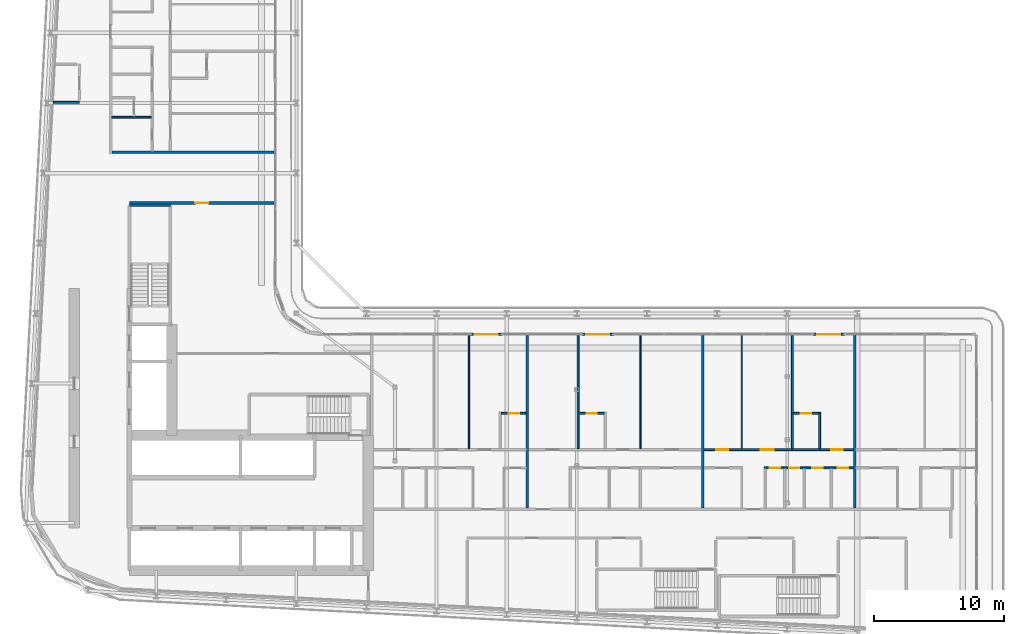
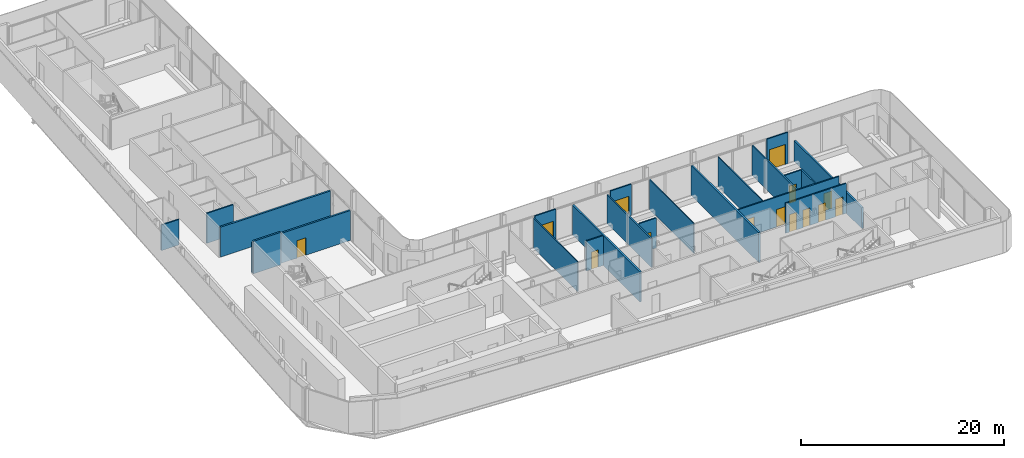
# One storey, part 17 of 29: 22 walls, 14 doors, 14 openings.
"""IFC4 building model written with IfcOpenShell, lengths in metres."""

from ifc_helpers import new_model, si_unit, direction, frame, frame_2d, origin, place, context, subcontext, project, spatial, rectangle, extrude, source, transform, mapped, material, layer, layer_set, type_object, element, fill, save


model = new_model("IFC4")

# Units and contexts
model_context = context("Model", 3, precision=1e-05, world=origin(), true_north=direction((0.0, 1.0)))
body_context = subcontext(model_context, "Body", "Model", "MODEL_VIEW")
ifc_project = project(units=[si_unit("LENGTHUNIT", "METRE"), si_unit("AREAUNIT", "SQUARE_METRE"), si_unit("VOLUMEUNIT", "CUBIC_METRE"), si_unit("PLANEANGLEUNIT", "RADIAN"), si_unit("MASSUNIT", "GRAM", prefix="KILO")], contexts=[model_context])

# Site, building, storey
site_placement = place(None, origin())
site = spatial("IfcSite", under=ifc_project, at=site_placement, CompositionType="ELEMENT")
building_placement = place(site_placement, origin())
building = spatial("IfcBuilding", under=site, at=building_placement, Name="Kheshtan School and Residences Tower", CompositionType="ELEMENT")
storey_placement = place(building_placement, frame((0.0, 0.0, 183.800048828125)))
storey = spatial("IfcBuildingStorey", under=building, at=storey_placement, Name="L43", CompositionType="ELEMENT", Elevation=183.800048828125)

# Wall
ifc_material_1 = material(Name="Gypsum board on steel studs with fire boards", Category="steel")
ifc_layer_1 = layer(ifc_material_1, 0.199951171875)
ifc_layer_set_1 = layer_set([ifc_layer_1], Name="Corridor wall 200")
wall_type_1 = type_object("IfcWallType", Name="Corridor wall 200", PredefinedType="PARTITIONING", material=ifc_layer_set_1)
wall_1_placement = place(storey_placement, frame((33.39990234375, 58.0, 0.0), z_axis=(0.0, 0.0, 1.0), x_axis=(1.0, 0.0, 0.0)))
element("IfcWall", 1, at=wall_1_placement, inside=storey, type_object=wall_type_1, Name="Partition L43-006", PredefinedType="PARTITIONING", context=body_context, shape_type="SweptSolid", body=[
    extrude(rectangle(XDim=12.5, YDim=0.199951171875, at=frame_2d((6.25, 0.0))), origin(), (0.0, 0.0, 1.0), 3.599853515625),
])

# Wall, opening, door
wall_2_placement = place(storey_placement, frame((34.75, 54.10009765625, 0.0), z_axis=(0.0, 0.0, 1.0), x_axis=(1.0, 0.0, 0.0)))
wall_2 = element("IfcWall", 2, at=wall_2_placement, inside=storey, type_object=wall_type_1, Name="Partition L43-016", PredefinedType="PARTITIONING", context=body_context, shape_type="SweptSolid", body=[
    extrude(rectangle(XDim=11.14990234375, YDim=0.199951171875, at=frame_2d((5.574951171875, 0.0))), origin(), (0.0, 0.0, 1.0), 3.599853515625),
])
opening_1_placement = place(wall_2_placement, frame((5.074951171875, 0.0, 0.0)))
opening_1 = element("IfcOpeningElement", 3, at=opening_1_placement, cuts=wall_2, Name="Opening D43-055", PredefinedType="OPENING", context=body_context, shape_type="SweptSolid", body=[
    extrude(rectangle(XDim=1.0, YDim=2.10009765625, at=frame_2d((0.5, 1.050048828125))), frame((0.0, 0.10986328125, 0.0), z_axis=(0.0, -1.0, 0.0), x_axis=(1.0, 0.0, 0.0)), (0.0, 0.0, 1.0), 0.219970703125),
])
ifc_material_2 = material(Name="Steel-framed fire-resisting door leaf", Category="steel")
door_type_1 = type_object("IfcDoorType", Name="Fire door FD60 1000 x 2100", OperationType="SINGLE_SWING_LEFT", PredefinedType="DOOR", material=ifc_material_2)
shared_shape_1 = source(origin(), body_context, "Body", "SweptSolid", [
    extrude(rectangle(XDim=1.0, YDim=2.10009765625, at=frame_2d((0.5, 1.050048828125))), frame((0.0, 0.02490234375, 0.0), z_axis=(0.0, -1.0, 0.0), x_axis=(1.0, 0.0, 0.0)), (0.0, 0.0, 1.0), 0.050048828125),
])
door_1_placement = place(opening_1_placement, origin())
door_1 = element("IfcDoor", 4, at=door_1_placement, inside=storey, type_object=door_type_1, Name="Door D43-055", OperationType="SINGLE_SWING_RIGHT", OverallHeight=2.10009765625, OverallWidth=1.0, PredefinedType="DOOR", context=body_context, shape_type="MappedRepresentation", body=[
    mapped(shared_shape_1, transform((0.0, 0.0, 0.0), x_axis=(1.0, 0.0, 0.0), y_axis=(0.0, 1.0, 0.0), z_axis=(0.0, 0.0, 1.0), scale=1.0)),
])
fill(opening_1, door_1)

ifc_material_3 = material(Name="Aluminium frame wall with insulated infill", Category="aluminium")
ifc_layer_2 = layer(ifc_material_3, 0.14990234375)
ifc_layer_set_2 = layer_set([ifc_layer_2], Name="Glazing frame wall 150")
wall_type_2 = type_object("IfcWallType", Name="Glazing frame wall 150", PredefinedType="SOLIDWALL", material=ifc_layer_set_2)
wall_3_placement = place(storey_placement, frame((61.02392578125, 43.97509765625, 0.0), z_axis=(0.0, 0.0, 1.0), x_axis=(1.0, 0.0, 0.0)))
wall_3 = element("IfcWall", 5, at=wall_3_placement, inside=storey, type_object=wall_type_2, Name="Balcony door wall L43 12.2", PredefinedType="SOLIDWALL", context=body_context, shape_type="SweptSolid", body=[
    extrude(rectangle(XDim=2.400146484375, YDim=0.14990234375, at=frame_2d((1.2001953125, 0.0))), origin(), (0.0, 0.0, 1.0), 3.75),
])
opening_2_placement = place(wall_3_placement, frame((0.300048828125, 0.0, 0.0)))
opening_2 = element("IfcOpeningElement", 6, at=opening_2_placement, cuts=wall_3, Name="Opening BD", PredefinedType="OPENING", context=body_context, shape_type="SweptSolid", body=[
    extrude(rectangle(XDim=1.800048828125, YDim=2.39990234375, at=frame_2d((0.89990234375, 1.199951171875))), frame((0.0, 0.0849609375, 0.0), z_axis=(0.0, -1.0, 0.0), x_axis=(1.0, 0.0, 0.0)), (0.0, 0.0, 1.0), 0.169921875),
])
ifc_material_4 = material(Name="Clear low-e glass in thermally broken aluminium frame", Category="aluminium")
door_type_2 = type_object("IfcDoorType", Name="Balcony sliding door", OperationType="SLIDING_TO_LEFT", PredefinedType="DOOR", material=ifc_material_4)
shared_shape_2 = source(origin(), body_context, "Body", "SweptSolid", [
    extrude(rectangle(XDim=1.800048828125, YDim=2.39990234375, at=frame_2d((0.89990234375, 1.199951171875))), frame((0.0, 0.02490234375, 0.0), z_axis=(0.0, -1.0, 0.0), x_axis=(1.0, 0.0, 0.0)), (0.0, 0.0, 1.0), 0.050048828125),
])
door_2_placement = place(opening_2_placement, origin())
door_2 = element("IfcDoor", 7, at=door_2_placement, inside=storey, type_object=door_type_2, Name="Balcony door L43 12.2", OperationType="SLIDING_TO_LEFT", OverallHeight=2.39990234375, OverallWidth=1.800048828125, PredefinedType="DOOR", context=body_context, shape_type="MappedRepresentation", body=[
    mapped(shared_shape_2, transform((0.0, 0.0, 0.0), x_axis=(1.0, 0.0, 0.0), y_axis=(0.0, 1.0, 0.0), z_axis=(0.0, 0.0, 1.0), scale=1.0)),
])
fill(opening_2, door_2)

wall_4_placement = place(storey_placement, frame((69.617919921875, 43.97509765625, 0.0), z_axis=(0.0, 0.0, 1.0), x_axis=(1.0, 0.0, 0.0)))
wall_4 = element("IfcWall", 8, at=wall_4_placement, inside=storey, type_object=wall_type_2, Name="Balcony door wall L43 12.3", PredefinedType="SOLIDWALL", context=body_context, shape_type="SweptSolid", body=[
    extrude(rectangle(XDim=2.400146484375, YDim=0.14990234375, at=frame_2d((1.2001953125, 0.0))), origin(), (0.0, 0.0, 1.0), 3.75),
])
opening_3_placement = place(wall_4_placement, frame((0.300048828125, 0.0, 0.0)))
opening_3 = element("IfcOpeningElement", 9, at=opening_3_placement, cuts=wall_4, Name="Opening BD", PredefinedType="OPENING", context=body_context, shape_type="SweptSolid", body=[
    extrude(rectangle(XDim=1.800048828125, YDim=2.39990234375, at=frame_2d((0.89990234375, 1.199951171875))), frame((0.0, 0.0849609375, 0.0), z_axis=(0.0, -1.0, 0.0), x_axis=(1.0, 0.0, 0.0)), (0.0, 0.0, 1.0), 0.169921875),
])
door_3_placement = place(opening_3_placement, origin())
door_3 = element("IfcDoor", 10, at=door_3_placement, inside=storey, type_object=door_type_2, Name="Balcony door L43 12.3", OperationType="SLIDING_TO_LEFT", OverallHeight=2.39990234375, OverallWidth=1.800048828125, PredefinedType="DOOR", context=body_context, shape_type="MappedRepresentation", body=[
    mapped(shared_shape_2, transform((0.0, 0.0, 0.0), x_axis=(1.0, 0.0, 0.0), y_axis=(0.0, 1.0, 0.0), z_axis=(0.0, 0.0, 1.0), scale=1.0)),
])
fill(opening_3, door_3)

wall_5_placement = place(storey_placement, frame((87.406005859375, 43.97509765625, 0.0), z_axis=(0.0, 0.0, 1.0), x_axis=(1.0, 0.0, 0.0)))
wall_5 = element("IfcWall", 11, at=wall_5_placement, inside=storey, type_object=wall_type_2, Name="Balcony door wall L43 12.4", PredefinedType="SOLIDWALL", context=body_context, shape_type="SweptSolid", body=[
    extrude(rectangle(XDim=2.39990234375, YDim=0.14990234375, at=frame_2d((1.199951171875, 0.0))), origin(), (0.0, 0.0, 1.0), 3.75),
])
opening_4_placement = place(wall_5_placement, frame((0.300048828125, 0.0, 0.0)))
opening_4 = element("IfcOpeningElement", 12, at=opening_4_placement, cuts=wall_5, Name="Opening BD", PredefinedType="OPENING", context=body_context, shape_type="SweptSolid", body=[
    extrude(rectangle(XDim=1.800048828125, YDim=2.39990234375, at=frame_2d((0.89990234375, 1.199951171875))), frame((0.0, 0.0849609375, 0.0), z_axis=(0.0, -1.0, 0.0), x_axis=(1.0, 0.0, 0.0)), (0.0, 0.0, 1.0), 0.169921875),
])
door_4_placement = place(opening_4_placement, origin())
door_4 = element("IfcDoor", 13, at=door_4_placement, inside=storey, type_object=door_type_2, Name="Balcony door L43 12.4", OperationType="SLIDING_TO_LEFT", OverallHeight=2.39990234375, OverallWidth=1.800048828125, PredefinedType="DOOR", context=body_context, shape_type="MappedRepresentation", body=[
    mapped(shared_shape_2, transform((0.0, 0.0, 0.0), x_axis=(1.0, 0.0, 0.0), y_axis=(0.0, 1.0, 0.0), z_axis=(0.0, 0.0, 1.0), scale=1.0)),
])
fill(opening_4, door_4)

# Walls
ifc_material_5 = material(Name="Gypsum board on steel studs", Category="steel")
ifc_layer_3 = layer(ifc_material_5, 0.10009765625)
ifc_layer_set_3 = layer_set([ifc_layer_3], Name="Gypsum partition 100")
wall_type_3 = type_object("IfcWallType", Name="Gypsum partition 100", PredefinedType="PARTITIONING", material=ifc_layer_set_3)
for number, where, z_axis, x_axis, name in (
    (14, (60.89990234375, 35.175048828125, 0.0), (0.0, 0.0, 1.0), (0.0, 1.0, 0.0), "Partition L43-041"),
    (15, (74.10009765625, 35.175048828125, 0.0), (0.0, 0.0, 1.0), (0.0, 1.0, 0.0), "Partition L43-056"),
    (16, (81.89990234375, 35.175048828125, 0.0), (0.0, 0.0, 1.0), (0.0, 1.0, 0.0), "Partition L43-061"),
):
    element("IfcWall", number, at=place(storey_placement, frame(where, z_axis=z_axis, x_axis=x_axis)), inside=storey, type_object=wall_type_3, Name=name, PredefinedType="PARTITIONING", context=body_context, shape_type="SweptSolid", body=[
        extrude(rectangle(XDim=8.724853515625, YDim=0.10009765625, at=frame_2d((4.3623046875, 0.0))), origin(), (0.0, 0.0, 1.0), 3.599853515625),
    ])
ifc_material_6 = material(Name="Fire-board shaft wall system")
ifc_layer_4 = layer(ifc_material_6, 0.14990234375)
ifc_layer_set_4 = layer_set([ifc_layer_4], Name="Service room wall 150")
wall_type_4 = type_object("IfcWallType", Name="Service room wall 150", PredefinedType="PARTITIONING", material=ifc_layer_set_4)
wall_6_placement = place(storey_placement, frame((28.89501953125, 61.85107421875, 0.0), z_axis=(0.0, 0.0, 1.0), x_axis=(1.0, 0.0, 0.0)))
element("IfcWall", 17, at=wall_6_placement, inside=storey, type_object=wall_type_4, Name="Service room wall", PredefinedType="PARTITIONING", context=body_context, shape_type="SweptSolid", body=[
    extrude(rectangle(XDim=2.0048828125, YDim=0.14990234375, at=frame_2d((1.00244140625, 0.0))), origin(), (0.0, 0.0, 1.0), 3.072021484375),
])
ifc_material_7 = material(Name="Concrete C40/50", Category="concrete")
ifc_layer_5 = layer(ifc_material_7, 0.199951171875)
ifc_layer_set_5 = layer_set([ifc_layer_5], Name="Stair enclosure wall 200 Concrete C40/50")
wall_type_5 = type_object("IfcWallType", Name="Stair enclosure wall 200 Concrete C40/50", PredefinedType="SHEAR", material=ifc_layer_set_5)
wall_7_placement = place(storey_placement, frame((34.75, 53.909912109375, 0.0), z_axis=(0.0, 0.0, 1.0), x_axis=(1.0, 0.0, 0.0)))
element("IfcWall", 18, at=wall_7_placement, inside=storey, type_object=wall_type_5, Name="Stair enclosure wall ST2", PredefinedType="SHEAR", context=body_context, shape_type="SweptSolid", body=[
    extrude(rectangle(XDim=3.14990234375, YDim=0.199951171875, at=frame_2d((1.574951171875, 0.0))), origin(), (0.0, 0.0, 1.0), 3.89990234375),
])
ifc_material_8 = material(Name="Twin gypsum board on steel studs with mineral wool", Category="steel")
ifc_layer_6 = layer(ifc_material_8, 0.199951171875)
ifc_layer_set_6 = layer_set([ifc_layer_6], Name="Unit demising wall 200")
wall_type_6 = type_object("IfcWallType", Name="Unit demising wall 200", PredefinedType="PARTITIONING", material=ifc_layer_set_6)
for number, where, z_axis, x_axis, name in (
    (19, (65.39990234375, 30.60009765625, 0.0), (0.0, 0.0, 1.0), (0.0, 1.0, 0.0), "Partition L43-047"),
    (20, (78.89990234375, 30.60009765625, 0.0), (0.0, 0.0, 1.0), (0.0, 1.0, 0.0), "Partition L43-057"),
):
    element("IfcWall", number, at=place(storey_placement, frame(where, z_axis=z_axis, x_axis=x_axis)), inside=storey, type_object=wall_type_6, Name=name, PredefinedType="PARTITIONING", context=body_context, shape_type="SweptSolid", body=[
        extrude(rectangle(XDim=13.2998046875, YDim=0.199951171875, at=frame_2d((6.64990234375, 0.0))), origin(), (0.0, 0.0, 1.0), 3.599853515625),
    ])
wall_8_placement = place(storey_placement, frame((90.60009765625, 30.60009765625, 0.0), z_axis=(0.0, 0.0, 1.0), x_axis=(0.0, 1.0, 0.0)))
element("IfcWall", 21, at=wall_8_placement, inside=storey, type_object=wall_type_6, Name="Partition L43-070", PredefinedType="PARTITIONING", context=body_context, shape_type="SweptSolid", body=[
    extrude(rectangle(XDim=13.2998046875, YDim=0.199951171875, at=frame_2d((6.64990234375, 0.0))), origin(), (0.0, 0.0, 1.0), 2.5),
])
ifc_material_9 = material(Name="Moisture-resistant gypsum board on steel studs", Category="steel")
ifc_layer_7 = layer(ifc_material_9, 0.14990234375)
ifc_layer_set_7 = layer_set([ifc_layer_7], Name="Wet-room partition 150")
wall_type_7 = type_object("IfcWallType", Name="Wet-room partition 150", PredefinedType="PARTITIONING", material=ifc_layer_set_7)
wall_9_placement = place(storey_placement, frame((33.39990234375, 60.699951171875, 0.0), z_axis=(0.0, 0.0, 1.0), x_axis=(1.0, 0.0, 0.0)))
element("IfcWall", 22, at=wall_9_placement, inside=storey, type_object=wall_type_7, Name="Partition L43-007", PredefinedType="PARTITIONING", context=body_context, shape_type="SweptSolid", body=[
    extrude(rectangle(XDim=3.025146484375, YDim=0.14990234375, at=frame_2d((1.5126953125, 0.0))), origin(), (0.0, 0.0, 1.0), 3.599853515625),
])

# Wall, opening, door
wall_10_placement = place(storey_placement, frame((63.375, 37.89990234375, 0.0), z_axis=(0.0, 0.0, 1.0), x_axis=(1.0, 0.0, 0.0)))
wall_10 = element("IfcWall", 23, at=wall_10_placement, inside=storey, type_object=wall_type_7, Name="Partition L43-044", PredefinedType="PARTITIONING", context=body_context, shape_type="SweptSolid", body=[
    extrude(rectangle(XDim=1.925048828125, YDim=0.14990234375, at=frame_2d((0.96240234375, 0.0))), origin(), (0.0, 0.0, 1.0), 3.599853515625),
])
opening_5_placement = place(wall_10_placement, frame((0.574951171875, 0.0, 0.0)))
opening_5 = element("IfcOpeningElement", 24, at=opening_5_placement, cuts=wall_10, Name="Opening D43-003", PredefinedType="OPENING", context=body_context, shape_type="SweptSolid", body=[
    extrude(rectangle(XDim=0.800048828125, YDim=2.10009765625, at=frame_2d((0.39990234375, 1.050048828125))), frame((0.0, 0.0849609375, 0.0), z_axis=(0.0, -1.0, 0.0), x_axis=(1.0, 0.0, 0.0)), (0.0, 0.0, 1.0), 0.169921875),
])
ifc_material_10 = material(Name="Veneered timber door leaf", Category="wood")
door_type_3 = type_object("IfcDoorType", Name="Door 800 x 2100", OperationType="SINGLE_SWING_LEFT", PredefinedType="DOOR", material=ifc_material_10)
shared_shape_3 = source(origin(), body_context, "Body", "SweptSolid", [
    extrude(rectangle(XDim=0.800048828125, YDim=2.10009765625, at=frame_2d((0.39990234375, 1.050048828125))), frame((0.0, 0.02490234375, 0.0), z_axis=(0.0, -1.0, 0.0), x_axis=(1.0, 0.0, 0.0)), (0.0, 0.0, 1.0), 0.050048828125),
])
door_5_placement = place(opening_5_placement, origin())
door_5 = element("IfcDoor", 25, at=door_5_placement, inside=storey, type_object=door_type_3, Name="Door D43-003", OperationType="SINGLE_SWING_LEFT", OverallHeight=2.10009765625, OverallWidth=0.800048828125, PredefinedType="DOOR", context=body_context, shape_type="MappedRepresentation", body=[
    mapped(shared_shape_3, transform((0.0, 0.0, 0.0), x_axis=(1.0, 0.0, 0.0), y_axis=(0.0, 1.0, 0.0), z_axis=(0.0, 0.0, 1.0), scale=1.0)),
])
fill(opening_5, door_5)

# Wall
wall_11_placement = place(storey_placement, frame((69.300048828125, 35.175048828125, 0.0), z_axis=(0.0, 0.0, 1.0), x_axis=(0.0, 1.0, 0.0)))
element("IfcWall", 26, at=wall_11_placement, inside=storey, type_object=wall_type_7, Name="Partition L43-051", PredefinedType="PARTITIONING", context=body_context, shape_type="SweptSolid", body=[
    extrude(rectangle(XDim=8.724853515625, YDim=0.14990234375, at=frame_2d((4.3623046875, 0.0))), origin(), (0.0, 0.0, 1.0), 3.447021484375),
])

# Wall, opening, door
wall_12_placement = place(storey_placement, frame((69.375, 37.89990234375, 0.0), z_axis=(0.0, 0.0, 1.0), x_axis=(1.0, 0.0, 0.0)))
wall_12 = element("IfcWall", 27, at=wall_12_placement, inside=storey, type_object=wall_type_7, Name="Partition L43-052", PredefinedType="PARTITIONING", context=body_context, shape_type="SweptSolid", body=[
    extrude(rectangle(XDim=1.949951171875, YDim=0.14990234375, at=frame_2d((0.97509765625, 0.0))), origin(), (0.0, 0.0, 1.0), 3.599853515625),
])
opening_6_placement = place(wall_12_placement, frame((0.574951171875, 0.0, 0.0)))
opening_6 = element("IfcOpeningElement", 28, at=opening_6_placement, cuts=wall_12, Name="Opening D43-012", PredefinedType="OPENING", context=body_context, shape_type="SweptSolid", body=[
    extrude(rectangle(XDim=0.800048828125, YDim=2.10009765625, at=frame_2d((0.39990234375, 1.050048828125))), frame((0.0, 0.0849609375, 0.0), z_axis=(0.0, -1.0, 0.0), x_axis=(1.0, 0.0, 0.0)), (0.0, 0.0, 1.0), 0.169921875),
])
door_6_placement = place(opening_6_placement, origin())
door_6 = element("IfcDoor", 29, at=door_6_placement, inside=storey, type_object=door_type_3, Name="Door D43-012", OperationType="SINGLE_SWING_LEFT", OverallHeight=2.10009765625, OverallWidth=0.800048828125, PredefinedType="DOOR", context=body_context, shape_type="MappedRepresentation", body=[
    mapped(shared_shape_3, transform((0.0, 0.0, 0.0), x_axis=(1.0, 0.0, 0.0), y_axis=(0.0, 1.0, 0.0), z_axis=(0.0, 0.0, 1.0), scale=1.0)),
])
fill(opening_6, door_6)

# Wall, openings, doors
wall_13_placement = place(storey_placement, frame((79.0, 35.10009765625, 0.0), z_axis=(0.0, 0.0, 1.0), x_axis=(1.0, 0.0, 0.0)))
wall_13 = element("IfcWall", 30, at=wall_13_placement, inside=storey, type_object=wall_type_7, Name="Partition L43-059", PredefinedType="PARTITIONING", context=body_context, shape_type="SweptSolid", body=[
    extrude(rectangle(XDim=11.5, YDim=0.14990234375, at=frame_2d((5.75, 0.0))), origin(), (0.0, 0.0, 1.0), 3.599853515625),
])
opening_7_placement = place(wall_13_placement, frame((0.949951171875, 0.0, 0.0)))
opening_7 = element("IfcOpeningElement", 31, at=opening_7_placement, cuts=wall_13, Name="Opening D43-019", PredefinedType="OPENING", context=body_context, shape_type="SweptSolid", body=[
    extrude(rectangle(XDim=0.89990234375, YDim=2.10009765625, at=frame_2d((0.449951171875, 1.050048828125))), frame((0.0, 0.0849609375, 0.0), z_axis=(0.0, -1.0, 0.0), x_axis=(1.0, 0.0, 0.0)), (0.0, 0.0, 1.0), 0.169921875),
])
opening_8_placement = place(wall_13_placement, frame((4.35009765625, 0.0, 0.0)))
opening_8 = element("IfcOpeningElement", 32, at=opening_8_placement, cuts=wall_13, Name="Opening D43-024", PredefinedType="OPENING", context=body_context, shape_type="SweptSolid", body=[
    extrude(rectangle(XDim=1.0, YDim=2.10009765625, at=frame_2d((0.5, 1.050048828125))), frame((0.0, 0.0849609375, 0.0), z_axis=(0.0, -1.0, 0.0), x_axis=(1.0, 0.0, 0.0)), (0.0, 0.0, 1.0), 0.169921875),
])
opening_9_placement = place(wall_13_placement, frame((9.800048828125, 0.0, 0.0)))
opening_9 = element("IfcOpeningElement", 33, at=opening_9_placement, cuts=wall_13, Name="Opening D43-025", PredefinedType="OPENING", context=body_context, shape_type="SweptSolid", body=[
    extrude(rectangle(XDim=0.89990234375, YDim=2.10009765625, at=frame_2d((0.449951171875, 1.050048828125))), frame((0.0, 0.0849609375, 0.0), z_axis=(0.0, -1.0, 0.0), x_axis=(1.0, 0.0, 0.0)), (0.0, 0.0, 1.0), 0.169921875),
])
door_type_4 = type_object("IfcDoorType", Name="Door 1000 x 2100", OperationType="SINGLE_SWING_LEFT", PredefinedType="DOOR", material=ifc_material_10)
shared_shape_4 = source(origin(), body_context, "Body", "SweptSolid", [
    extrude(rectangle(XDim=1.0, YDim=2.10009765625, at=frame_2d((0.5, 1.050048828125))), frame((0.0, 0.02490234375, 0.0), z_axis=(0.0, -1.0, 0.0), x_axis=(1.0, 0.0, 0.0)), (0.0, 0.0, 1.0), 0.050048828125),
])
door_7_placement = place(opening_8_placement, origin())
door_7 = element("IfcDoor", 34, at=door_7_placement, inside=storey, type_object=door_type_4, Name="Door D43-024", OperationType="SINGLE_SWING_LEFT", OverallHeight=2.10009765625, OverallWidth=1.0, PredefinedType="DOOR", context=body_context, shape_type="MappedRepresentation", body=[
    mapped(shared_shape_4, transform((0.0, 0.0, 0.0), x_axis=(1.0, 0.0, 0.0), y_axis=(0.0, 1.0, 0.0), z_axis=(0.0, 0.0, 1.0), scale=1.0)),
])
fill(opening_8, door_7)
door_type_5 = type_object("IfcDoorType", Name="Door 900 x 2100", OperationType="SINGLE_SWING_LEFT", PredefinedType="DOOR", material=ifc_material_10)
shared_shape_5 = source(origin(), body_context, "Body", "SweptSolid", [
    extrude(rectangle(XDim=0.89990234375, YDim=2.10009765625, at=frame_2d((0.449951171875, 1.050048828125))), frame((0.0, 0.02490234375, 0.0), z_axis=(0.0, -1.0, 0.0), x_axis=(1.0, 0.0, 0.0)), (0.0, 0.0, 1.0), 0.050048828125),
])
door_8_placement = place(opening_7_placement, origin())
door_8 = element("IfcDoor", 35, at=door_8_placement, inside=storey, type_object=door_type_5, Name="Door D43-019", OperationType="SINGLE_SWING_RIGHT", OverallHeight=2.10009765625, OverallWidth=0.89990234375, PredefinedType="DOOR", context=body_context, shape_type="MappedRepresentation", body=[
    mapped(shared_shape_5, transform((0.0, 0.0, 0.0), x_axis=(1.0, 0.0, 0.0), y_axis=(0.0, 1.0, 0.0), z_axis=(0.0, 0.0, 1.0), scale=1.0)),
])
fill(opening_7, door_8)
door_9_placement = place(opening_9_placement, origin())
door_9 = element("IfcDoor", 36, at=door_9_placement, inside=storey, type_object=door_type_5, Name="Door D43-025", OperationType="SINGLE_SWING_LEFT", OverallHeight=2.10009765625, OverallWidth=0.89990234375, PredefinedType="DOOR", context=body_context, shape_type="MappedRepresentation", body=[
    mapped(shared_shape_5, transform((0.0, 0.0, 0.0), x_axis=(1.0, 0.0, 0.0), y_axis=(0.0, 1.0, 0.0), z_axis=(0.0, 0.0, 1.0), scale=1.0)),
])
fill(opening_9, door_9)

wall_14_placement = place(storey_placement, frame((83.625, 33.699951171875, 0.0), z_axis=(0.0, 0.0, 1.0), x_axis=(1.0, 0.0, 0.0)))
wall_14 = element("IfcWall", 37, at=wall_14_placement, inside=storey, type_object=wall_type_7, Name="Partition L43-062", PredefinedType="PARTITIONING", context=body_context, shape_type="SweptSolid", body=[
    extrude(rectangle(XDim=6.875, YDim=0.14990234375, at=frame_2d((3.4375, 0.0))), origin(), (0.0, 0.0, 1.0), 3.599853515625),
])
opening_10_placement = place(wall_14_placement, frame((3.72509765625, 0.0, 0.0)))
opening_10 = element("IfcOpeningElement", 38, at=opening_10_placement, cuts=wall_14, Name="Opening D43-018", PredefinedType="OPENING", context=body_context, shape_type="SweptSolid", body=[
    extrude(rectangle(XDim=0.800048828125, YDim=2.10009765625, at=frame_2d((0.39990234375, 1.050048828125))), frame((0.0, 0.0849609375, 0.0), z_axis=(0.0, -1.0, 0.0), x_axis=(1.0, 0.0, 0.0)), (0.0, 0.0, 1.0), 0.169921875),
])
opening_11_placement = place(wall_14_placement, frame((5.675048828125, 0.0, 0.0)))
opening_11 = element("IfcOpeningElement", 39, at=opening_11_placement, cuts=wall_14, Name="Opening D43-023", PredefinedType="OPENING", context=body_context, shape_type="SweptSolid", body=[
    extrude(rectangle(XDim=0.800048828125, YDim=2.10009765625, at=frame_2d((0.39990234375, 1.050048828125))), frame((0.0, 0.0849609375, 0.0), z_axis=(0.0, -1.0, 0.0), x_axis=(1.0, 0.0, 0.0)), (0.0, 0.0, 1.0), 0.169921875),
])
opening_12_placement = place(wall_14_placement, frame((1.925048828125, 0.0, 0.0)))
opening_12 = element("IfcOpeningElement", 40, at=opening_12_placement, cuts=wall_14, Name="Opening D43-026", PredefinedType="OPENING", context=body_context, shape_type="SweptSolid", body=[
    extrude(rectangle(XDim=0.800048828125, YDim=2.10009765625, at=frame_2d((0.39990234375, 1.050048828125))), frame((0.0, 0.0849609375, 0.0), z_axis=(0.0, -1.0, 0.0), x_axis=(1.0, 0.0, 0.0)), (0.0, 0.0, 1.0), 0.169921875),
])
opening_13_placement = place(wall_14_placement, frame((0.425048828125, 0.0, 0.0)))
opening_13 = element("IfcOpeningElement", 41, at=opening_13_placement, cuts=wall_14, Name="Opening D43-027", PredefinedType="OPENING", context=body_context, shape_type="SweptSolid", body=[
    extrude(rectangle(XDim=0.800048828125, YDim=2.10009765625, at=frame_2d((0.39990234375, 1.050048828125))), frame((0.0, 0.0849609375, 0.0), z_axis=(0.0, -1.0, 0.0), x_axis=(1.0, 0.0, 0.0)), (0.0, 0.0, 1.0), 0.169921875),
])
door_10_placement = place(opening_10_placement, origin())
door_10 = element("IfcDoor", 42, at=door_10_placement, inside=storey, type_object=door_type_3, Name="Door D43-018", OperationType="SINGLE_SWING_RIGHT", OverallHeight=2.10009765625, OverallWidth=0.800048828125, PredefinedType="DOOR", context=body_context, shape_type="MappedRepresentation", body=[
    mapped(shared_shape_3, transform((0.0, 0.0, 0.0), x_axis=(1.0, 0.0, 0.0), y_axis=(0.0, 1.0, 0.0), z_axis=(0.0, 0.0, 1.0), scale=1.0)),
])
fill(opening_10, door_10)
door_11_placement = place(opening_11_placement, origin())
door_11 = element("IfcDoor", 43, at=door_11_placement, inside=storey, type_object=door_type_3, Name="Door D43-023", OperationType="SINGLE_SWING_RIGHT", OverallHeight=2.10009765625, OverallWidth=0.800048828125, PredefinedType="DOOR", context=body_context, shape_type="MappedRepresentation", body=[
    mapped(shared_shape_3, transform((0.0, 0.0, 0.0), x_axis=(1.0, 0.0, 0.0), y_axis=(0.0, 1.0, 0.0), z_axis=(0.0, 0.0, 1.0), scale=1.0)),
])
fill(opening_11, door_11)
door_12_placement = place(opening_12_placement, origin())
door_12 = element("IfcDoor", 44, at=door_12_placement, inside=storey, type_object=door_type_3, Name="Door D43-026", OperationType="SINGLE_SWING_RIGHT", OverallHeight=2.10009765625, OverallWidth=0.800048828125, PredefinedType="DOOR", context=body_context, shape_type="MappedRepresentation", body=[
    mapped(shared_shape_3, transform((0.0, 0.0, 0.0), x_axis=(1.0, 0.0, 0.0), y_axis=(0.0, 1.0, 0.0), z_axis=(0.0, 0.0, 1.0), scale=1.0)),
])
fill(opening_12, door_12)
door_13_placement = place(opening_13_placement, origin())
door_13 = element("IfcDoor", 45, at=door_13_placement, inside=storey, type_object=door_type_3, Name="Door D43-027", OperationType="SINGLE_SWING_LEFT", OverallHeight=2.10009765625, OverallWidth=0.800048828125, PredefinedType="DOOR", context=body_context, shape_type="MappedRepresentation", body=[
    mapped(shared_shape_3, transform((0.0, 0.0, 0.0), x_axis=(1.0, 0.0, 0.0), y_axis=(0.0, 1.0, 0.0), z_axis=(0.0, 0.0, 1.0), scale=1.0)),
])
fill(opening_13, door_13)

# Wall
wall_15_placement = place(storey_placement, frame((85.800048828125, 35.175048828125, 0.0), z_axis=(0.0, 0.0, 1.0), x_axis=(0.0, 1.0, 0.0)))
element("IfcWall", 46, at=wall_15_placement, inside=storey, type_object=wall_type_7, Name="Partition L43-065", PredefinedType="PARTITIONING", context=body_context, shape_type="SweptSolid", body=[
    extrude(rectangle(XDim=8.724853515625, YDim=0.14990234375, at=frame_2d((4.3623046875, 0.0))), origin(), (0.0, 0.0, 1.0), 3.599853515625),
])

# Wall, opening, door
wall_16_placement = place(storey_placement, frame((85.875, 37.89990234375, 0.0), z_axis=(0.0, 0.0, 1.0), x_axis=(1.0, 0.0, 0.0)))
wall_16 = element("IfcWall", 47, at=wall_16_placement, inside=storey, type_object=wall_type_7, Name="Partition L43-066", PredefinedType="PARTITIONING", context=body_context, shape_type="SweptSolid", body=[
    extrude(rectangle(XDim=1.949951171875, YDim=0.14990234375, at=frame_2d((0.97509765625, 0.0))), origin(), (0.0, 0.0, 1.0), 3.599853515625),
])
opening_14_placement = place(wall_16_placement, frame((0.574951171875, 0.0, 0.0)))
opening_14 = element("IfcOpeningElement", 48, at=opening_14_placement, cuts=wall_16, Name="Opening D43-020", PredefinedType="OPENING", context=body_context, shape_type="SweptSolid", body=[
    extrude(rectangle(XDim=0.800048828125, YDim=2.10009765625, at=frame_2d((0.39990234375, 1.050048828125))), frame((0.0, 0.0849609375, 0.0), z_axis=(0.0, -1.0, 0.0), x_axis=(1.0, 0.0, 0.0)), (0.0, 0.0, 1.0), 0.169921875),
])
door_14_placement = place(opening_14_placement, origin())
door_14 = element("IfcDoor", 49, at=door_14_placement, inside=storey, type_object=door_type_3, Name="Door D43-020", OperationType="SINGLE_SWING_LEFT", OverallHeight=2.10009765625, OverallWidth=0.800048828125, PredefinedType="DOOR", context=body_context, shape_type="MappedRepresentation", body=[
    mapped(shared_shape_3, transform((0.0, 0.0, 0.0), x_axis=(1.0, 0.0, 0.0), y_axis=(0.0, 1.0, 0.0), z_axis=(0.0, 0.0, 1.0), scale=1.0)),
])
fill(opening_14, door_14)

# Wall
wall_17_placement = place(storey_placement, frame((87.89990234375, 35.175048828125, 0.0), z_axis=(0.0, 0.0, 1.0), x_axis=(0.0, 1.0, 0.0)))
element("IfcWall", 50, at=wall_17_placement, inside=storey, type_object=wall_type_7, Name="Partition L43-068", PredefinedType="PARTITIONING", context=body_context, shape_type="SweptSolid", body=[
    extrude(rectangle(XDim=2.800048828125, YDim=0.14990234375, at=frame_2d((1.39990234375, 0.0))), origin(), (0.0, 0.0, 1.0), 3.599853515625),
])

save(model, "model.ifc")
